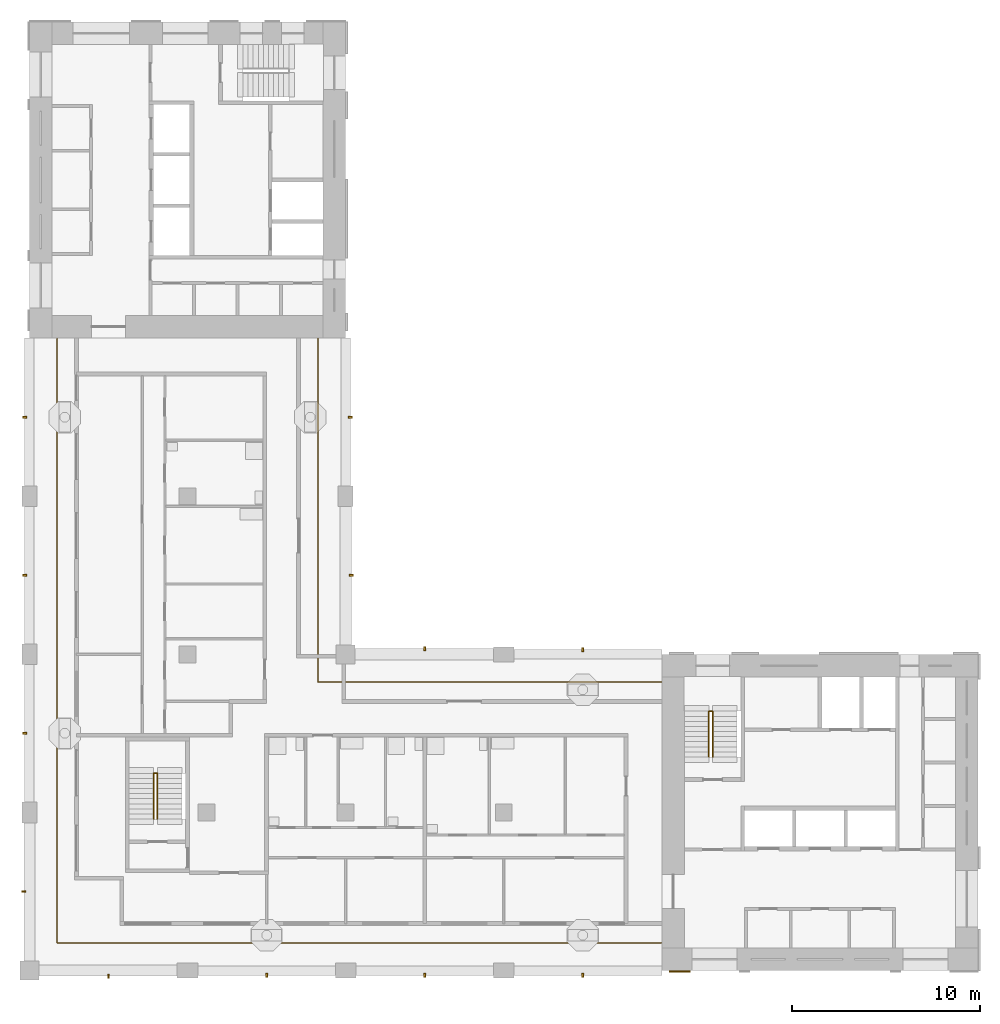
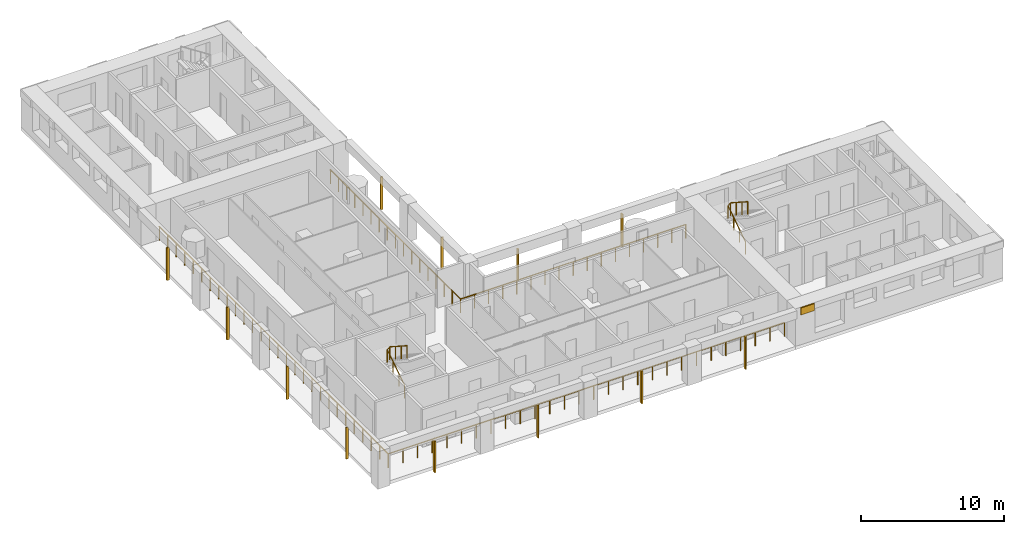
# One storey, part 8 of 12: 13 shading devices, 4 railings.
"""IFC4 building model written with IfcOpenShell, lengths in metres."""

import ifcopenshell
import ifcopenshell.guid

model = None  # the IFC model being written
_history = None  # IfcOwnerHistory: only IFC2X3 demands one
_inside = {}  # id of a spatial element -> (the spatial element, [elements in it])
_under = {}  # id of a project, library or spatial element -> (it, [spatial elements below it])
_declared = {}  # id of a project -> (the project, [libraries it declares])
_typed = {}  # id of a type object -> (the type object, [elements of that type])
_made_of = {}  # id of a material, layer set ... -> (it, [elements and type objects made of it])


def new_model(schema):
    """Start an empty IFC model of exactly this schema.

    Asked for "IFC4X3", IfcOpenShell would pick the latest addendum, in which some entities
    have other attributes; the version numbers below select the first issue.
    IFC2X3 requires an IfcOwnerHistory on every rooted entity: one is made here for all.
    """
    global model, _history
    if schema == "IFC4X3":
        model = ifcopenshell.file(schema_version=(4, 3, 0, 0))
    else:
        model = ifcopenshell.file(schema=schema)
    _inside.clear()
    _under.clear()
    _declared.clear()
    _typed.clear()
    _made_of.clear()
    _history = None
    if model.schema == "IFC2X3":
        org = make("IfcOrganization", Name="unknown")
        user = make(
            "IfcPersonAndOrganization",
            ThePerson=make("IfcPerson", FamilyName="unknown"),
            TheOrganization=org,
        )
        app = make(
            "IfcApplication",
            ApplicationDeveloper=org,
            Version="unknown",
            ApplicationFullName="unknown",
            ApplicationIdentifier="unknown",
        )
        _history = make(
            "IfcOwnerHistory",
            OwningUser=user,
            OwningApplication=app,
            ChangeAction="ADDED",
            CreationDate=0,
        )
    return model


def make(cls, **values):
    """One entity of the class cls with the attributes given. An attribute that is None is left unset."""
    return model.create_entity(
        cls, **{name: value for name, value in values.items() if value is not None}
    )


def rooted(cls, **values):
    """An entity with a GlobalId (a new one), such as an element, a storey or a relation."""
    return make(cls, GlobalId=ifcopenshell.guid.new(), OwnerHistory=_history, **values)


def si_unit(unit_type, name, prefix=None):
    """IfcSIUnit, for example si_unit("LENGTHUNIT", "METRE", prefix="MILLI")."""
    return make("IfcSIUnit", UnitType=unit_type, Prefix=prefix, Name=name)


def assignment(units):
    """IfcUnitAssignment: the units of a project."""
    return None if units is None else make("IfcUnitAssignment", Units=units)


def point(xyz):
    """IfcCartesianPoint."""
    return None if xyz is None else make("IfcCartesianPoint", Coordinates=xyz)


def direction(xyz):
    """IfcDirection."""
    return None if xyz is None else make("IfcDirection", DirectionRatios=xyz)


def frame(location, z_axis=None, x_axis=None):
    """IfcAxis2Placement3D, a coordinate frame: its origin and axes. An axis left out is left unset."""
    return make(
        "IfcAxis2Placement3D",
        Location=point(location),
        Axis=direction(z_axis),
        RefDirection=direction(x_axis),
    )


def frame_2d(location, x_axis=None):
    """IfcAxis2Placement2D, a coordinate frame in the plane: its origin and x axis."""
    return make(
        "IfcAxis2Placement2D", Location=point(location), RefDirection=direction(x_axis)
    )


def origin():
    """The frame at (0, 0, 0) with its axes left unset."""
    return frame((0.0, 0.0, 0.0))


def origin_2d():
    """The frame at (0, 0) in the plane with its x axis left unset."""
    return frame_2d((0.0, 0.0))


def place(relative_to, where):
    """IfcLocalPlacement: puts the frame where relative to a parent placement (None: the world)."""
    return make(
        "IfcLocalPlacement", PlacementRelTo=relative_to, RelativePlacement=where
    )


def context(
    kind, dimensions, precision=None, world=None, true_north=None, identifier=None
):
    """IfcGeometricRepresentationContext, for example the 3D "Model" context."""
    return make(
        "IfcGeometricRepresentationContext",
        ContextIdentifier=identifier,
        ContextType=kind,
        CoordinateSpaceDimension=dimensions,
        Precision=precision,
        WorldCoordinateSystem=world,
        TrueNorth=true_north,
    )


def subcontext(parent, identifier, kind, view, scale=None):
    """IfcGeometricRepresentationSubContext, for example "Body" below "Model"."""
    return make(
        "IfcGeometricRepresentationSubContext",
        ContextIdentifier=identifier,
        ContextType=kind,
        ParentContext=parent,
        TargetScale=scale,
        TargetView=view,
    )


def project(units=None, contexts=None):
    """IfcProject with its units and contexts."""
    return rooted(
        "IfcProject",
        Name="project",
        RepresentationContexts=contexts,
        UnitsInContext=assignment(units),
    )


def spatial(cls, under=None, at=None, **own):
    """A site, building, storey or space (cls), placed at a placement, below another one or the project."""
    s = rooted(cls, ObjectPlacement=at, **own)
    if under is not None:
        _under.setdefault(under.id(), (under, []))[1].append(s)
    return s


def profile(cls, at=None, kind="AREA", **sizes):
    """A parametric profile (cls). Its sizes go by their IFC names, for example OverallWidth=200.0."""
    return make(cls, ProfileType=kind, Position=at, **sizes)


def rectangle(**sizes):
    """IfcRectangleProfileDef."""
    return profile("IfcRectangleProfileDef", **sizes)


def circle(**sizes):
    """IfcCircleProfileDef."""
    return profile("IfcCircleProfileDef", **sizes)


def extrude(swept, where, along, depth):
    """IfcExtrudedAreaSolid: the profile swept, set in the frame where, extruded along a direction by depth."""
    return make(
        "IfcExtrudedAreaSolid",
        SweptArea=swept,
        Position=where,
        ExtrudedDirection=direction(along),
        Depth=depth,
    )


def shape(context_of_items, identifier, shape_type, items):
    """IfcShapeRepresentation: the items that make up one representation, for example the "Body"."""
    return make(
        "IfcShapeRepresentation",
        ContextOfItems=context_of_items,
        RepresentationIdentifier=identifier,
        RepresentationType=shape_type,
        Items=items,
    )


def material(Name=None, Category=None):
    """IfcMaterial."""
    return make("IfcMaterial", Name=Name, Category=Category)


def layer(
    of_material, thickness, ventilated=None, Name=None, Category=None, Priority=None
):
    """IfcMaterialLayer: one layer of a wall or slab, of a material (None: an air gap)."""
    return make(
        "IfcMaterialLayer",
        Material=of_material,
        LayerThickness=thickness,
        IsVentilated=ventilated,
        Name=Name,
        Category=Category,
        Priority=Priority,
    )


def layer_set(layers, Name=None):
    """IfcMaterialLayerSet."""
    return make("IfcMaterialLayerSet", MaterialLayers=layers, LayerSetName=Name)


def material_profile(
    of_material, cross_section, Name=None, Category=None, Priority=None
):
    """IfcMaterialProfile: a cross section and its material."""
    return make(
        "IfcMaterialProfile",
        Name=Name,
        Material=of_material,
        Profile=cross_section,
        Priority=Priority,
        Category=Category,
    )


def profile_set(profiles, Name=None, composite=None):
    """IfcMaterialProfileSet."""
    return make(
        "IfcMaterialProfileSet",
        Name=Name,
        MaterialProfiles=profiles,
        CompositeProfile=composite,
    )


def made_of(thing, what):
    """Note that an element or type object is made of a material, layer set ...; save() writes the relation."""
    if what is not None:
        _made_of.setdefault(what.id(), (what, []))[1].append(thing)
    return thing


def type_object(cls, material=None, **own):
    """A type object (cls), such as IfcWallType, which elements share."""
    return made_of(rooted(cls, **own), material)


def element(
    cls,
    number,
    at=None,
    inside=None,
    cuts=None,
    type_object=None,
    material=None,
    context=None,
    identifier="Body",
    shape_type=None,
    held_by="IfcProductDefinitionShape",
    body=None,
    shapes=None,
    **own,
):
    """One element of the class cls, such as IfcWall. Its Tag is "e" and its number.

    at: its placement. inside: the storey or other place that contains it. cuts: it is an
    opening in that element (IfcRelVoidsElement). A single representation is given by context,
    identifier, shape_type and body (its items); several are given by shapes. held_by: the class
    of the entity that holds the representations. save() writes the other relations.
    """
    e = rooted(cls, Tag="e%d" % number, ObjectPlacement=at, **own)
    if body is not None:
        shapes = [shape(context, identifier, shape_type, body)]
    if shapes is not None:
        e.Representation = make(held_by, Representations=shapes)
    if inside is not None:
        _inside.setdefault(inside.id(), (inside, []))[1].append(e)
    if cuts is not None:
        rooted(
            "IfcRelVoidsElement", RelatingBuildingElement=cuts, RelatedOpeningElement=e
        )
    if type_object is not None:
        _typed.setdefault(type_object.id(), (type_object, []))[1].append(e)
    return made_of(e, material)


def aggregate(whole, parts):
    """IfcRelAggregates: a whole, such as a stair, and the parts it consists of."""
    return rooted("IfcRelAggregates", RelatingObject=whole, RelatedObjects=parts)


def save(model, path):
    """Write the relations noted so far, then the file.

    IfcRelAggregates (storeys below a building ...), IfcRelContainedInSpatialStructure (elements
    in a storey), IfcRelDefinesByType, IfcRelAssociatesMaterial and IfcRelDeclares: one each for
    every whole, place, type object, material and project.
    """
    for whole, parts in _under.values():
        aggregate(whole, parts)
    for where, things in _inside.values():
        rooted(
            "IfcRelContainedInSpatialStructure",
            RelatedElements=things,
            RelatingStructure=where,
        )
    for kind, things in _typed.values():
        rooted("IfcRelDefinesByType", RelatedObjects=things, RelatingType=kind)
    for what, things in _made_of.values():
        rooted("IfcRelAssociatesMaterial", RelatedObjects=things, RelatingMaterial=what)
    for by, libraries in _declared.values():
        rooted("IfcRelDeclares", RelatingContext=by, RelatedDefinitions=libraries)
    model.write(path)


model = new_model("IFC4")

# Units and contexts
model_context = context("Model", 3, precision=1e-05, world=origin(), true_north=direction((0.0, 1.0)))
body_context = subcontext(model_context, "Body", "Model", "MODEL_VIEW")
ifc_project = project(units=[si_unit("LENGTHUNIT", "METRE"), si_unit("AREAUNIT", "SQUARE_METRE"), si_unit("VOLUMEUNIT", "CUBIC_METRE"), si_unit("PLANEANGLEUNIT", "RADIAN"), si_unit("MASSUNIT", "GRAM", prefix="KILO")], contexts=[model_context])

# Site, building, storey
site_placement = place(None, origin())
site = spatial("IfcSite", under=ifc_project, at=site_placement, CompositionType="ELEMENT")
building_placement = place(site_placement, origin())
building = spatial("IfcBuilding", under=site, at=building_placement, Name="Vermilion Gate Residences", CompositionType="ELEMENT")
storey_placement = place(building_placement, frame((0.0, 0.0, 238.699951171875)))
storey = spatial("IfcBuildingStorey", under=building, at=storey_placement, Name="L62", CompositionType="ELEMENT", Elevation=238.699951171875)

# Railings
ifc_material_1 = material(Name="Stainless steel and toughened glass", Category="steel")
railing_type_1 = type_object("IfcRailingType", Name="LOGGIA GUARD STEEL AND GLASS 1200", PredefinedType="GUARDRAIL", material=ifc_material_1)
railing_1_placement = place(storey_placement, frame((41.97802734375, 23.72509765625, 0.0)))
element("IfcRailing", 1, at=railing_1_placement, inside=storey, type_object=railing_type_1, Name="Loggia guard", PredefinedType="GUARDRAIL", context=body_context, shape_type="SweptSolid", body=[
    extrude(circle(Radius=0.030029296875, at=origin_2d()), frame((0.0, 0.0, 1.169921875), z_axis=(-1.0, 0.0, 0.0), x_axis=(0.0, -1.0, 0.0)), (0.0, 0.0, 1.0), 18.2529296875),
    extrude(circle(Radius=0.030029296875, at=origin_2d()), frame((-18.2529296875, 0.0, 1.169921875), z_axis=(0.0, 1.0, 0.0), x_axis=(-1.0, 0.0, 0.0)), (0.0, 0.0, 1.0), 18.2529296875),
    extrude(circle(Radius=0.02490234375, at=origin_2d()), origin(), (0.0, 0.0, 1.0), 1.139892578125),
    extrude(circle(Radius=0.02490234375, at=origin_2d()), frame((-1.140869140625, 0.0, 0.0)), (0.0, 0.0, 1.0), 1.139892578125),
    extrude(circle(Radius=0.02490234375, at=origin_2d()), frame((-2.28173828125, 0.0, 0.0)), (0.0, 0.0, 1.0), 1.139892578125),
    extrude(circle(Radius=0.02490234375, at=origin_2d()), frame((-3.42236328125, 0.0, 0.0)), (0.0, 0.0, 1.0), 1.139892578125),
    extrude(circle(Radius=0.02490234375, at=origin_2d()), frame((-4.563232421875, 0.0, 0.0)), (0.0, 0.0, 1.0), 1.139892578125),
    extrude(circle(Radius=0.02490234375, at=origin_2d()), frame((-5.7041015625, 0.0, 0.0)), (0.0, 0.0, 1.0), 1.139892578125),
    extrude(circle(Radius=0.02490234375, at=origin_2d()), frame((-6.8447265625, 0.0, 0.0)), (0.0, 0.0, 1.0), 1.139892578125),
    extrude(circle(Radius=0.02490234375, at=origin_2d()), frame((-7.985595703125, 0.0, 0.0)), (0.0, 0.0, 1.0), 1.139892578125),
    extrude(circle(Radius=0.02490234375, at=origin_2d()), frame((-9.12646484375, 0.0, 0.0)), (0.0, 0.0, 1.0), 1.139892578125),
    extrude(circle(Radius=0.02490234375, at=origin_2d()), frame((-10.267333984375, 0.0, 0.0)), (0.0, 0.0, 1.0), 1.139892578125),
    extrude(circle(Radius=0.02490234375, at=origin_2d()), frame((-11.408203125, 0.0, 0.0)), (0.0, 0.0, 1.0), 1.139892578125),
    extrude(circle(Radius=0.02490234375, at=origin_2d()), frame((-12.548828125, 0.0, 0.0)), (0.0, 0.0, 1.0), 1.139892578125),
    extrude(circle(Radius=0.02490234375, at=origin_2d()), frame((-13.689697265625, 0.0, 0.0)), (0.0, 0.0, 1.0), 1.139892578125),
    extrude(circle(Radius=0.02490234375, at=origin_2d()), frame((-14.83056640625, 0.0, 0.0)), (0.0, 0.0, 1.0), 1.139892578125),
    extrude(circle(Radius=0.02490234375, at=origin_2d()), frame((-15.97119140625, 0.0, 0.0)), (0.0, 0.0, 1.0), 1.139892578125),
    extrude(circle(Radius=0.02490234375, at=origin_2d()), frame((-17.112060546875, 0.0, 0.0)), (0.0, 0.0, 1.0), 1.139892578125),
    extrude(circle(Radius=0.02490234375, at=origin_2d()), frame((-18.2529296875, 0.0, 0.0)), (0.0, 0.0, 1.0), 1.139892578125),
    extrude(circle(Radius=0.02490234375, at=origin_2d()), frame((-18.2529296875, 1.140869140625, 0.0)), (0.0, 0.0, 1.0), 1.139892578125),
    extrude(circle(Radius=0.02490234375, at=origin_2d()), frame((-18.2529296875, 2.28173828125, 0.0)), (0.0, 0.0, 1.0), 1.139892578125),
    extrude(circle(Radius=0.02490234375, at=origin_2d()), frame((-18.2529296875, 3.42236328125, 0.0)), (0.0, 0.0, 1.0), 1.139892578125),
    extrude(circle(Radius=0.02490234375, at=origin_2d()), frame((-18.2529296875, 4.563232421875, 0.0)), (0.0, 0.0, 1.0), 1.139892578125),
    extrude(circle(Radius=0.02490234375, at=origin_2d()), frame((-18.2529296875, 5.7041015625, 0.0)), (0.0, 0.0, 1.0), 1.139892578125),
    extrude(circle(Radius=0.02490234375, at=origin_2d()), frame((-18.2529296875, 6.8447265625, 0.0)), (0.0, 0.0, 1.0), 1.139892578125),
    extrude(circle(Radius=0.02490234375, at=origin_2d()), frame((-18.2529296875, 7.985595703125, 0.0)), (0.0, 0.0, 1.0), 1.139892578125),
    extrude(circle(Radius=0.02490234375, at=origin_2d()), frame((-18.2529296875, 9.12646484375, 0.0)), (0.0, 0.0, 1.0), 1.139892578125),
    extrude(circle(Radius=0.02490234375, at=origin_2d()), frame((-18.2529296875, 10.267333984375, 0.0)), (0.0, 0.0, 1.0), 1.139892578125),
    extrude(circle(Radius=0.02490234375, at=origin_2d()), frame((-18.2529296875, 11.408203125, 0.0)), (0.0, 0.0, 1.0), 1.139892578125),
    extrude(circle(Radius=0.02490234375, at=origin_2d()), frame((-18.2529296875, 12.548828125, 0.0)), (0.0, 0.0, 1.0), 1.139892578125),
    extrude(circle(Radius=0.02490234375, at=origin_2d()), frame((-18.2529296875, 13.689697265625, 0.0)), (0.0, 0.0, 1.0), 1.139892578125),
    extrude(circle(Radius=0.02490234375, at=origin_2d()), frame((-18.2529296875, 14.83056640625, 0.0)), (0.0, 0.0, 1.0), 1.139892578125),
    extrude(circle(Radius=0.02490234375, at=origin_2d()), frame((-18.2529296875, 15.97119140625, 0.0)), (0.0, 0.0, 1.0), 1.139892578125),
    extrude(circle(Radius=0.02490234375, at=origin_2d()), frame((-18.2529296875, 17.112060546875, 0.0)), (0.0, 0.0, 1.0), 1.139892578125),
    extrude(circle(Radius=0.02490234375, at=origin_2d()), frame((-18.2529296875, 18.2529296875, 0.0)), (0.0, 0.0, 1.0), 1.139892578125),
])
railing_2_placement = place(storey_placement, frame((9.875, 41.97802734375, 0.0)))
element("IfcRailing", 2, at=railing_2_placement, inside=storey, type_object=railing_type_1, Name="Loggia guard", PredefinedType="GUARDRAIL", context=body_context, shape_type="SweptSolid", body=[
    extrude(circle(Radius=0.030029296875, at=origin_2d()), frame((0.0, 0.0, 1.169921875), z_axis=(0.0, -1.0, 0.0), x_axis=(1.0, 0.0, 0.0)), (0.0, 0.0, 1.0), 32.10302734375),
    extrude(circle(Radius=0.030029296875, at=origin_2d()), frame((0.0, -32.10302734375, 1.169921875), z_axis=(1.0, 0.0, 0.0), x_axis=(0.0, 1.0, 0.0)), (0.0, 0.0, 1.0), 32.10302734375),
    extrude(circle(Radius=0.02490234375, at=origin_2d()), origin(), (0.0, 0.0, 1.0), 1.139892578125),
    extrude(circle(Radius=0.02490234375, at=origin_2d()), frame((0.0, -1.18896484375, 0.0)), (0.0, 0.0, 1.0), 1.139892578125),
    extrude(circle(Radius=0.02490234375, at=origin_2d()), frame((0.0, -2.3779296875, 0.0)), (0.0, 0.0, 1.0), 1.139892578125),
    extrude(circle(Radius=0.02490234375, at=origin_2d()), frame((0.0, -3.56689453125, 0.0)), (0.0, 0.0, 1.0), 1.139892578125),
    extrude(circle(Radius=0.02490234375, at=origin_2d()), frame((0.0, -4.756103515625, 0.0)), (0.0, 0.0, 1.0), 1.139892578125),
    extrude(circle(Radius=0.02490234375, at=origin_2d()), frame((0.0, -5.945068359375, 0.0)), (0.0, 0.0, 1.0), 1.139892578125),
    extrude(circle(Radius=0.02490234375, at=origin_2d()), frame((0.0, -7.134033203125, 0.0)), (0.0, 0.0, 1.0), 1.139892578125),
    extrude(circle(Radius=0.02490234375, at=origin_2d()), frame((0.0, -8.322998046875, 0.0)), (0.0, 0.0, 1.0), 1.139892578125),
    extrude(circle(Radius=0.02490234375, at=origin_2d()), frame((0.0, -9.511962890625, 0.0)), (0.0, 0.0, 1.0), 1.139892578125),
    extrude(circle(Radius=0.02490234375, at=origin_2d()), frame((0.0, -10.700927734375, 0.0)), (0.0, 0.0, 1.0), 1.139892578125),
    extrude(circle(Radius=0.02490234375, at=origin_2d()), frame((0.0, -11.889892578125, 0.0)), (0.0, 0.0, 1.0), 1.139892578125),
    extrude(circle(Radius=0.02490234375, at=origin_2d()), frame((0.0, -13.0791015625, 0.0)), (0.0, 0.0, 1.0), 1.139892578125),
    extrude(circle(Radius=0.02490234375, at=origin_2d()), frame((0.0, -14.26806640625, 0.0)), (0.0, 0.0, 1.0), 1.139892578125),
    extrude(circle(Radius=0.02490234375, at=origin_2d()), frame((0.0, -15.45703125, 0.0)), (0.0, 0.0, 1.0), 1.139892578125),
    extrude(circle(Radius=0.02490234375, at=origin_2d()), frame((0.0, -16.64599609375, 0.0)), (0.0, 0.0, 1.0), 1.139892578125),
    extrude(circle(Radius=0.02490234375, at=origin_2d()), frame((0.0, -17.8349609375, 0.0)), (0.0, 0.0, 1.0), 1.139892578125),
    extrude(circle(Radius=0.02490234375, at=origin_2d()), frame((0.0, -19.02392578125, 0.0)), (0.0, 0.0, 1.0), 1.139892578125),
    extrude(circle(Radius=0.02490234375, at=origin_2d()), frame((0.0, -20.213134765625, 0.0)), (0.0, 0.0, 1.0), 1.139892578125),
    extrude(circle(Radius=0.02490234375, at=origin_2d()), frame((0.0, -21.402099609375, 0.0)), (0.0, 0.0, 1.0), 1.139892578125),
    extrude(circle(Radius=0.02490234375, at=origin_2d()), frame((0.0, -22.591064453125, 0.0)), (0.0, 0.0, 1.0), 1.139892578125),
    extrude(circle(Radius=0.02490234375, at=origin_2d()), frame((0.0, -23.780029296875, 0.0)), (0.0, 0.0, 1.0), 1.139892578125),
    extrude(circle(Radius=0.02490234375, at=origin_2d()), frame((0.0, -24.968994140625, 0.0)), (0.0, 0.0, 1.0), 1.139892578125),
    extrude(circle(Radius=0.02490234375, at=origin_2d()), frame((0.0, -26.157958984375, 0.0)), (0.0, 0.0, 1.0), 1.139892578125),
    extrude(circle(Radius=0.02490234375, at=origin_2d()), frame((0.0, -27.346923828125, 0.0)), (0.0, 0.0, 1.0), 1.139892578125),
    extrude(circle(Radius=0.02490234375, at=origin_2d()), frame((0.0, -28.5361328125, 0.0)), (0.0, 0.0, 1.0), 1.139892578125),
    extrude(circle(Radius=0.02490234375, at=origin_2d()), frame((0.0, -29.72509765625, 0.0)), (0.0, 0.0, 1.0), 1.139892578125),
    extrude(circle(Radius=0.02490234375, at=origin_2d()), frame((0.0, -30.9140625, 0.0)), (0.0, 0.0, 1.0), 1.139892578125),
    extrude(circle(Radius=0.02490234375, at=origin_2d()), frame((0.0, -32.10302734375, 0.0)), (0.0, 0.0, 1.0), 1.139892578125),
    extrude(circle(Radius=0.02490234375, at=origin_2d()), frame((1.18896484375, -32.10302734375, 0.0)), (0.0, 0.0, 1.0), 1.139892578125),
    extrude(circle(Radius=0.02490234375, at=origin_2d()), frame((2.3779296875, -32.10302734375, 0.0)), (0.0, 0.0, 1.0), 1.139892578125),
    extrude(circle(Radius=0.02490234375, at=origin_2d()), frame((3.56689453125, -32.10302734375, 0.0)), (0.0, 0.0, 1.0), 1.139892578125),
    extrude(circle(Radius=0.02490234375, at=origin_2d()), frame((4.756103515625, -32.10302734375, 0.0)), (0.0, 0.0, 1.0), 1.139892578125),
    extrude(circle(Radius=0.02490234375, at=origin_2d()), frame((5.945068359375, -32.10302734375, 0.0)), (0.0, 0.0, 1.0), 1.139892578125),
    extrude(circle(Radius=0.02490234375, at=origin_2d()), frame((7.134033203125, -32.10302734375, 0.0)), (0.0, 0.0, 1.0), 1.139892578125),
    extrude(circle(Radius=0.02490234375, at=origin_2d()), frame((8.322998046875, -32.10302734375, 0.0)), (0.0, 0.0, 1.0), 1.139892578125),
    extrude(circle(Radius=0.02490234375, at=origin_2d()), frame((9.511962890625, -32.10302734375, 0.0)), (0.0, 0.0, 1.0), 1.139892578125),
    extrude(circle(Radius=0.02490234375, at=origin_2d()), frame((10.700927734375, -32.10302734375, 0.0)), (0.0, 0.0, 1.0), 1.139892578125),
    extrude(circle(Radius=0.02490234375, at=origin_2d()), frame((11.889892578125, -32.10302734375, 0.0)), (0.0, 0.0, 1.0), 1.139892578125),
    extrude(circle(Radius=0.02490234375, at=origin_2d()), frame((13.0791015625, -32.10302734375, 0.0)), (0.0, 0.0, 1.0), 1.139892578125),
    extrude(circle(Radius=0.02490234375, at=origin_2d()), frame((14.26806640625, -32.10302734375, 0.0)), (0.0, 0.0, 1.0), 1.139892578125),
    extrude(circle(Radius=0.02490234375, at=origin_2d()), frame((15.45703125, -32.10302734375, 0.0)), (0.0, 0.0, 1.0), 1.139892578125),
    extrude(circle(Radius=0.02490234375, at=origin_2d()), frame((16.64599609375, -32.10302734375, 0.0)), (0.0, 0.0, 1.0), 1.139892578125),
    extrude(circle(Radius=0.02490234375, at=origin_2d()), frame((17.8349609375, -32.10302734375, 0.0)), (0.0, 0.0, 1.0), 1.139892578125),
    extrude(circle(Radius=0.02490234375, at=origin_2d()), frame((19.02392578125, -32.10302734375, 0.0)), (0.0, 0.0, 1.0), 1.139892578125),
    extrude(circle(Radius=0.02490234375, at=origin_2d()), frame((20.213134765625, -32.10302734375, 0.0)), (0.0, 0.0, 1.0), 1.139892578125),
    extrude(circle(Radius=0.02490234375, at=origin_2d()), frame((21.402099609375, -32.10302734375, 0.0)), (0.0, 0.0, 1.0), 1.139892578125),
    extrude(circle(Radius=0.02490234375, at=origin_2d()), frame((22.591064453125, -32.10302734375, 0.0)), (0.0, 0.0, 1.0), 1.139892578125),
    extrude(circle(Radius=0.02490234375, at=origin_2d()), frame((23.780029296875, -32.10302734375, 0.0)), (0.0, 0.0, 1.0), 1.139892578125),
    extrude(circle(Radius=0.02490234375, at=origin_2d()), frame((24.968994140625, -32.10302734375, 0.0)), (0.0, 0.0, 1.0), 1.139892578125),
    extrude(circle(Radius=0.02490234375, at=origin_2d()), frame((26.157958984375, -32.10302734375, 0.0)), (0.0, 0.0, 1.0), 1.139892578125),
    extrude(circle(Radius=0.02490234375, at=origin_2d()), frame((27.346923828125, -32.10302734375, 0.0)), (0.0, 0.0, 1.0), 1.139892578125),
    extrude(circle(Radius=0.02490234375, at=origin_2d()), frame((28.5361328125, -32.10302734375, 0.0)), (0.0, 0.0, 1.0), 1.139892578125),
    extrude(circle(Radius=0.02490234375, at=origin_2d()), frame((29.72509765625, -32.10302734375, 0.0)), (0.0, 0.0, 1.0), 1.139892578125),
    extrude(circle(Radius=0.02490234375, at=origin_2d()), frame((30.9140625, -32.10302734375, 0.0)), (0.0, 0.0, 1.0), 1.139892578125),
    extrude(circle(Radius=0.02490234375, at=origin_2d()), frame((32.10302734375, -32.10302734375, 0.0)), (0.0, 0.0, 1.0), 1.139892578125),
])
ifc_material_2 = material(Name="Steel S355", Category="steel")
railing_type_2 = type_object("IfcRailingType", Name="STAIR GUARD 1100 STEEL", PredefinedType="GUARDRAIL", material=ifc_material_2)
for number, where, name in (
    (3, (44.5, 19.75, 0.175048828125), "Stair well guard STA1-62"),
    (4, (15.0, 16.449951171875, 0.175048828125), "Stair well guard STC1-62"),
):
    element("IfcRailing", number, at=place(storey_placement, frame(where)), inside=storey, type_object=railing_type_2, Name=name, PredefinedType="GUARDRAIL", context=body_context, shape_type="SweptSolid", body=[
        extrude(circle(Radius=0.02392578125, at=origin_2d()), frame((0.0, 0.0, 1.076171875), z_axis=(0.0, 0.839153699163, 0.543894354798), x_axis=(-1.0, 0.0, 0.0)), (0.0, 0.0, 1.0), 2.895751953125),
        extrude(circle(Radius=0.02392578125, at=origin_2d()), frame((0.0, 2.429931640625, 2.65087890625), z_axis=(0.752405939678, 0.0, 0.658699705433), x_axis=(0.0, 1.0, 0.0)), (0.0, 0.0, 1.0), 0.265869140625),
        extrude(circle(Radius=0.02392578125, at=origin_2d()), frame((0.199951171875, 2.429931640625, 2.826171875), z_axis=(0.0, -0.839153699163, 0.543894354798), x_axis=(1.0, 0.0, 0.0)), (0.0, 0.0, 1.0), 2.895751953125),
        extrude(circle(Radius=0.02099609375, at=origin_2d()), origin(), (0.0, 0.0, 1.0), 1.052001953125),
        extrude(circle(Radius=0.02099609375, at=origin_2d()), frame((0.0, 0.81005859375, 0.52490234375)), (0.0, 0.0, 1.0), 1.052001953125),
        extrude(circle(Radius=0.02099609375, at=origin_2d()), frame((0.0, 1.619873046875, 1.050048828125)), (0.0, 0.0, 1.0), 1.052001953125),
        extrude(circle(Radius=0.02099609375, at=origin_2d()), frame((0.0, 2.429931640625, 1.574951171875)), (0.0, 0.0, 1.0), 1.052001953125),
        extrude(circle(Radius=0.02099609375, at=origin_2d()), frame((0.199951171875, 2.429931640625, 1.75)), (0.0, 0.0, 1.0), 1.052001953125),
        extrude(circle(Radius=0.02099609375, at=origin_2d()), frame((0.199951171875, 1.619873046875, 2.27490234375)), (0.0, 0.0, 1.0), 1.052001953125),
        extrude(circle(Radius=0.02099609375, at=origin_2d()), frame((0.199951171875, 0.81005859375, 2.800048828125)), (0.0, 0.0, 1.0), 1.052001953125),
        extrude(circle(Radius=0.02099609375, at=origin_2d()), frame((0.199951171875, 0.0, 3.324951171875)), (0.0, 0.0, 1.0), 1.052001953125),
    ])

# Shading devices
ifc_material_3 = material(Name="Extruded terracotta", Category="masonry")
ifc_material_profile = material_profile(ifc_material_3, rectangle(XDim=0.199951171875, YDim=0.10009765625, at=origin_2d()), Name="BAGUETTE 100 X 200")
ifc_profile_set = profile_set([ifc_material_profile], Name="Extruded terracotta")
shading_device_type_1 = type_object("IfcShadingDeviceType", Name="TERRACOTTA BAGUETTE 100 X 200", PredefinedType="JALOUSIE", material=ifc_profile_set)
shading_device_1_placement = place(storey_placement, frame((12.60009765625, 8.10009765625, -0.280029296875), z_axis=(0.0, 0.0, 1.0), x_axis=(0.0, 1.0, 0.0)))
element("IfcShadingDevice", 5, at=shading_device_1_placement, inside=storey, type_object=shading_device_type_1, Name="BAGUETTE", PredefinedType="JALOUSIE", context=body_context, shape_type="SweptSolid", body=[
    extrude(rectangle(XDim=0.199951171875, YDim=0.10009765625, at=origin_2d()), origin(), (0.0, 0.0, 1.0), 2.7001953125),
])
for number, where, z_axis, x_axis, name in (
    (6, (21.0, 8.14990234375, -0.280029296875), (0.0, 0.0, 1.0), (0.0, 1.0, 0.0), "BAGUETTE"),
    (7, (29.39990234375, 8.14990234375, -0.280029296875), (0.0, 0.0, 1.0), (0.0, 1.0, 0.0), "BAGUETTE"),
    (8, (37.800048828125, 8.14990234375, -0.280029296875), (0.0, 0.0, 1.0), (0.0, 1.0, 0.0), "BAGUETTE"),
):
    element("IfcShadingDevice", number, at=place(storey_placement, frame(where, z_axis=z_axis, x_axis=x_axis)), inside=storey, type_object=shading_device_type_1, Name=name, PredefinedType="JALOUSIE", context=body_context, shape_type="SweptSolid", body=[
        extrude(rectangle(XDim=0.199951171875, YDim=0.10009765625, at=origin_2d()), origin(), (0.0, 0.0, 1.0), 2.800048828125),
    ])
shading_device_2_placement = place(storey_placement, frame((29.39990234375, 25.5, -0.280029296875), z_axis=(0.0, 0.0, 1.0), x_axis=(0.0, -1.0, 0.0)))
element("IfcShadingDevice", 9, at=shading_device_2_placement, inside=storey, type_object=shading_device_type_1, Name="BAGUETTE", PredefinedType="JALOUSIE", context=body_context, shape_type="SweptSolid", body=[
    extrude(rectangle(XDim=0.199951171875, YDim=0.10009765625, at=origin_2d()), origin(), (0.0, 0.0, 1.0), 2.7001953125),
])
shading_device_3_placement = place(storey_placement, frame((37.800048828125, 25.449951171875, -0.280029296875), z_axis=(0.0, 0.0, 1.0), x_axis=(0.0, -1.0, 0.0)))
element("IfcShadingDevice", 10, at=shading_device_3_placement, inside=storey, type_object=shading_device_type_1, Name="BAGUETTE", PredefinedType="JALOUSIE", context=body_context, shape_type="SweptSolid", body=[
    extrude(rectangle(XDim=0.199951171875, YDim=0.10009765625, at=origin_2d()), origin(), (0.0, 0.0, 1.0), 2.800048828125),
])
shading_device_4_placement = place(storey_placement, frame((25.5, 29.39990234375, -0.280029296875), z_axis=(0.0, 0.0, 1.0), x_axis=(-1.0, 0.0, 0.0)))
element("IfcShadingDevice", 11, at=shading_device_4_placement, inside=storey, type_object=shading_device_type_1, Name="BAGUETTE", PredefinedType="JALOUSIE", context=body_context, shape_type="SweptSolid", body=[
    extrude(rectangle(XDim=0.199951171875, YDim=0.10009765625, at=origin_2d()), origin(), (0.0, 0.0, 1.0), 2.7001953125),
])
shading_device_5_placement = place(storey_placement, frame((25.449951171875, 37.800048828125, -0.280029296875), z_axis=(0.0, 0.0, 1.0), x_axis=(-1.0, 0.0, 0.0)))
element("IfcShadingDevice", 12, at=shading_device_5_placement, inside=storey, type_object=shading_device_type_1, Name="BAGUETTE", PredefinedType="JALOUSIE", context=body_context, shape_type="SweptSolid", body=[
    extrude(rectangle(XDim=0.199951171875, YDim=0.10009765625, at=origin_2d()), origin(), (0.0, 0.0, 1.0), 2.800048828125),
])
shading_device_6_placement = place(storey_placement, frame((8.10009765625, 12.60009765625, -0.280029296875), z_axis=(0.0, 0.0, 1.0), x_axis=(1.0, 0.0, 0.0)))
element("IfcShadingDevice", 13, at=shading_device_6_placement, inside=storey, type_object=shading_device_type_1, Name="BAGUETTE", PredefinedType="JALOUSIE", context=body_context, shape_type="SweptSolid", body=[
    extrude(rectangle(XDim=0.199951171875, YDim=0.10009765625, at=origin_2d()), origin(), (0.0, 0.0, 1.0), 2.7001953125),
])
for number, where, z_axis, x_axis, name in (
    (14, (8.14990234375, 21.0, -0.280029296875), (0.0, 0.0, 1.0), (1.0, 0.0, 0.0), "BAGUETTE"),
    (15, (8.14990234375, 29.39990234375, -0.280029296875), (0.0, 0.0, 1.0), (1.0, 0.0, 0.0), "BAGUETTE"),
    (16, (8.14990234375, 37.800048828125, -0.280029296875), (0.0, 0.0, 1.0), (1.0, 0.0, 0.0), "BAGUETTE"),
):
    element("IfcShadingDevice", number, at=place(storey_placement, frame(where, z_axis=z_axis, x_axis=x_axis)), inside=storey, type_object=shading_device_type_1, Name=name, PredefinedType="JALOUSIE", context=body_context, shape_type="SweptSolid", body=[
        extrude(rectangle(XDim=0.199951171875, YDim=0.10009765625, at=origin_2d()), origin(), (0.0, 0.0, 1.0), 2.800048828125),
    ])
ifc_material_4 = material(Name="Extruded terracotta", Category="masonry")
ifc_layer = layer(ifc_material_4, 0.10009765625)
ifc_layer_set = layer_set([ifc_layer], Name="TERRACOTTA SPANDREL BAND 600 X 100")
shading_device_type_2 = type_object("IfcShadingDeviceType", Name="TERRACOTTA SPANDREL BAND 600 X 100", PredefinedType="USERDEFINED", material=ifc_layer_set)
shading_device_7_placement = place(storey_placement, frame((42.949951171875, 8.35009765625, 2.6201171875), z_axis=(0.0, 0.0, 1.0), x_axis=(1.0, 0.0, 0.0)))
element("IfcShadingDevice", 17, at=shading_device_7_placement, inside=storey, type_object=shading_device_type_2, Name="SPANDREL BAND", ObjectType="BAND", PredefinedType="USERDEFINED", context=body_context, shape_type="SweptSolid", body=[
    extrude(rectangle(XDim=1.10009765625, YDim=0.10009765625, at=origin_2d()), origin(), (0.0, 0.0, 1.0), 0.60009765625),
])

save(model, "model.ifc")
